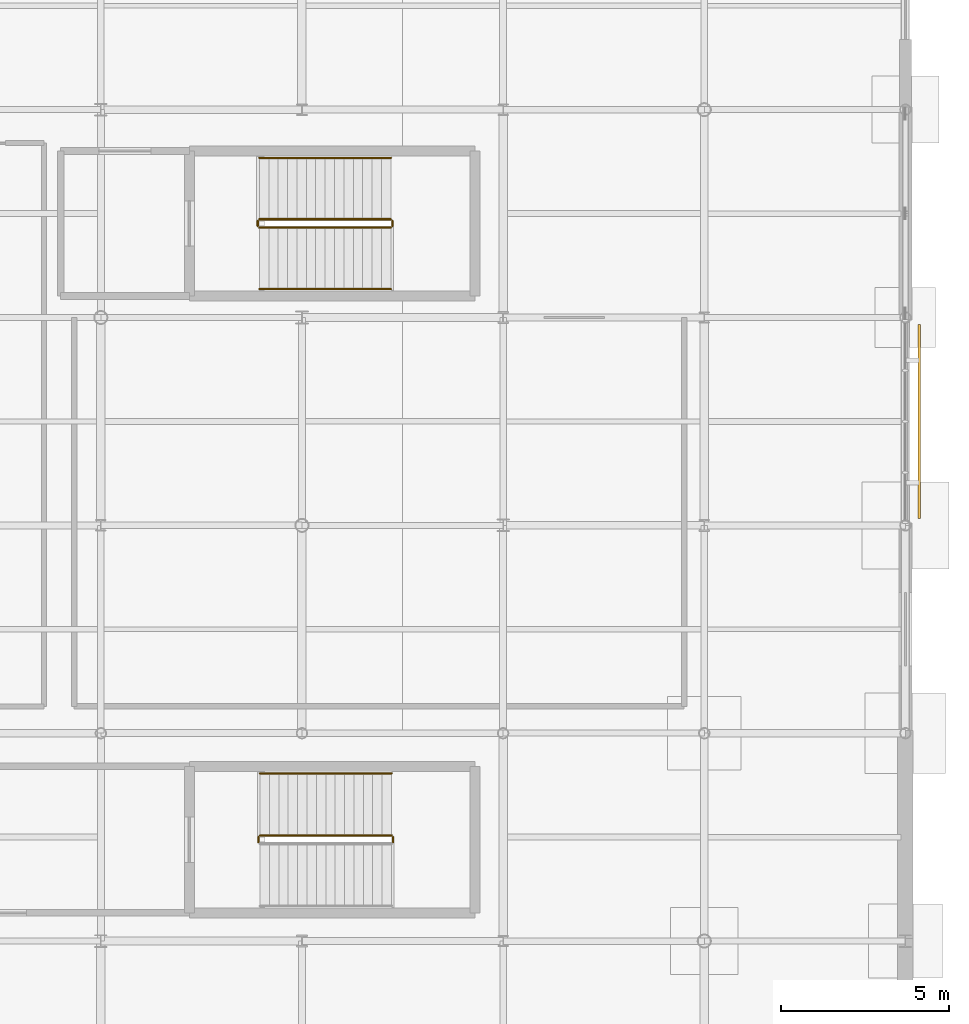
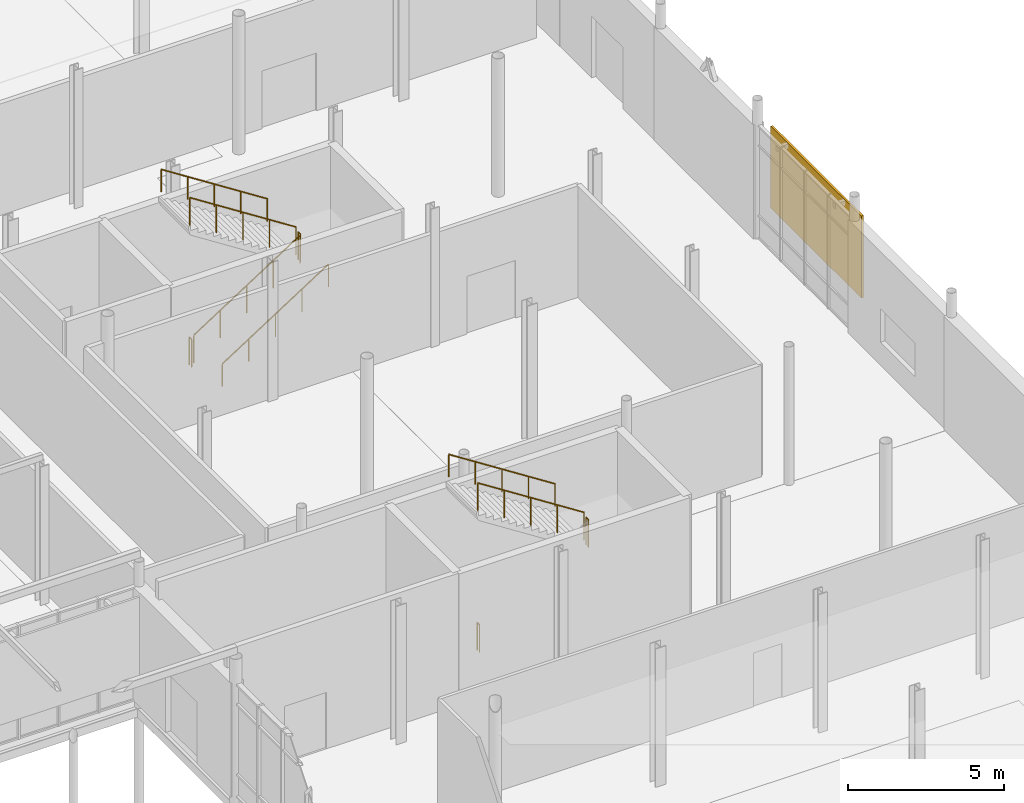
# One storey, part 94 of 98: 10 railings, 1 shading device.
"""IFC4 building model written with IfcOpenShell, lengths in metres."""

from ifc_helpers import new_model, si_unit, direction, frame, origin, origin_2d, place, context, subcontext, project, spatial, rectangle, circle, extrude, material, layer, layer_set, type_object, element, save


model = new_model("IFC4")

# Units and contexts
model_context = context("Model", 3, precision=1e-05, world=origin(), true_north=direction((0.0, 1.0)))
body_context = subcontext(model_context, "Body", "Model", "MODEL_VIEW")
ifc_project = project(units=[si_unit("LENGTHUNIT", "METRE"), si_unit("AREAUNIT", "SQUARE_METRE"), si_unit("VOLUMEUNIT", "CUBIC_METRE"), si_unit("PLANEANGLEUNIT", "RADIAN"), si_unit("MASSUNIT", "GRAM", prefix="KILO")], contexts=[model_context])

# Site, building, storey
site_placement = place(None, origin())
site = spatial("IfcSite", under=ifc_project, at=site_placement, CompositionType="ELEMENT")
building_placement = place(site_placement, origin())
building = spatial("IfcBuilding", under=site, at=building_placement, Name="Mirzam Square Science Centre", CompositionType="ELEMENT")
storey_placement = place(building_placement, origin())
storey = spatial("IfcBuildingStorey", under=building, at=storey_placement, Name="L00", CompositionType="ELEMENT", Elevation=0.0)

# Railings
ifc_material_1 = material(Name="Bronze-Anodised Architectural Balustrade", Category="aluminium")
railing_type_1 = type_object("IfcRailingType", Name="RL-INT-GUARD-1100", PredefinedType="GUARDRAIL", material=ifc_material_1)
railing_1_placement = place(storey_placement, frame((142.72998046875, 52.280029296875, 0.179931640625)))
element("IfcRailing", 1, at=railing_1_placement, inside=storey, type_object=railing_type_1, Name="L00 ST-05 stair guard 1", PredefinedType="GUARDRAIL", context=body_context, shape_type="SweptSolid", body=[
    extrude(circle(Radius=0.02392578125, at=origin_2d()), frame((0.0, 0.0, 1.076171875), z_axis=(0.841171666519, 0.0, 0.540768182723), x_axis=(0.0, 1.0, 0.0)), (0.0, 0.0, 1.0), 4.66015625),
    extrude(circle(Radius=0.02099609375, at=origin_2d()), origin(), (0.0, 0.0, 1.0), 1.052001953125),
    extrude(circle(Radius=0.02099609375, at=origin_2d()), frame((0.97998046875, 0.0, 0.6298828125)), (0.0, 0.0, 1.0), 1.052001953125),
    extrude(circle(Radius=0.02099609375, at=origin_2d()), frame((1.9599609375, 0.0, 1.260009765625)), (0.0, 0.0, 1.0), 1.052001953125),
    extrude(circle(Radius=0.02099609375, at=origin_2d()), frame((2.93994140625, 0.0, 1.89013671875)), (0.0, 0.0, 1.0), 1.052001953125),
    extrude(circle(Radius=0.02099609375, at=origin_2d()), frame((3.919921875, 0.0, 2.52001953125)), (0.0, 0.0, 1.0), 1.052001953125),
])
railing_2_placement = place(storey_placement, frame((146.699951171875, 52.330078125, 2.699951171875)))
element("IfcRailing", 2, at=railing_2_placement, inside=storey, type_object=railing_type_1, Name="L00 ST-05 stair guard 2", PredefinedType="GUARDRAIL", context=body_context, shape_type="SweptSolid", body=[
    extrude(circle(Radius=0.02392578125, at=origin_2d()), frame((0.0, 0.0, 1.076171875), z_axis=(0.0, 1.0, 0.0), x_axis=(-1.0, 0.0, 0.0)), (0.0, 0.0, 1.0), 0.14990234375),
    extrude(circle(Radius=0.02099609375, at=origin_2d()), origin(), (0.0, 0.0, 1.0), 1.052001953125),
    extrude(circle(Radius=0.02099609375, at=origin_2d()), frame((0.0, 0.14990234375, 0.0)), (0.0, 0.0, 1.0), 1.052001953125),
])
railing_3_placement = place(storey_placement, frame((146.64990234375, 52.530029296875, 2.8798828125)))
element("IfcRailing", 3, at=railing_3_placement, inside=storey, type_object=railing_type_1, Name="L00 ST-05 stair guard 3", PredefinedType="GUARDRAIL", context=body_context, shape_type="SweptSolid", body=[
    extrude(circle(Radius=0.02392578125, at=origin_2d()), frame((0.0, 0.0, 1.076171875), z_axis=(-0.841171666519, 0.0, 0.540768182723), x_axis=(0.0, -1.0, 0.0)), (0.0, 0.0, 1.0), 4.66015625),
    extrude(circle(Radius=0.02099609375, at=origin_2d()), origin(), (0.0, 0.0, 1.0), 1.052001953125),
    extrude(circle(Radius=0.02099609375, at=origin_2d()), frame((-0.97998046875, 0.0, 0.6298828125)), (0.0, 0.0, 1.0), 1.052001953125),
    extrude(circle(Radius=0.02099609375, at=origin_2d()), frame((-1.9599609375, 0.0, 1.260009765625)), (0.0, 0.0, 1.0), 1.052001953125),
    extrude(circle(Radius=0.02099609375, at=origin_2d()), frame((-2.93994140625, 0.0, 1.89013671875)), (0.0, 0.0, 1.0), 1.052001953125),
    extrude(circle(Radius=0.02099609375, at=origin_2d()), frame((-3.919921875, 0.0, 2.52001953125)), (0.0, 0.0, 1.0), 1.052001953125),
])
railing_4_placement = place(storey_placement, frame((142.679931640625, 52.330078125, 0.0)))
element("IfcRailing", 4, at=railing_4_placement, inside=storey, type_object=railing_type_1, Name="L00 ST-05 stair guard 4", PredefinedType="GUARDRAIL", context=body_context, shape_type="SweptSolid", body=[
    extrude(circle(Radius=0.02392578125, at=origin_2d()), frame((0.0, 0.0, 1.076171875), z_axis=(0.0, 1.0, 0.0), x_axis=(-1.0, 0.0, 0.0)), (0.0, 0.0, 1.0), 0.14990234375),
    extrude(circle(Radius=0.02099609375, at=origin_2d()), origin(), (0.0, 0.0, 1.0), 1.052001953125),
    extrude(circle(Radius=0.02099609375, at=origin_2d()), frame((0.0, 0.14990234375, 0.0)), (0.0, 0.0, 1.0), 1.052001953125),
])
railing_5_placement = place(storey_placement, frame((146.719970703125, 33.949951171875, 2.699951171875)))
element("IfcRailing", 5, at=railing_5_placement, inside=storey, type_object=railing_type_1, Name="L00 ST-06 stair guard 2", PredefinedType="GUARDRAIL", context=body_context, shape_type="SweptSolid", body=[
    extrude(circle(Radius=0.02392578125, at=origin_2d()), frame((0.0, 0.0, 1.076171875), z_axis=(0.0, 1.0, 0.0), x_axis=(-1.0, 0.0, 0.0)), (0.0, 0.0, 1.0), 0.150146484375),
    extrude(circle(Radius=0.02099609375, at=origin_2d()), origin(), (0.0, 0.0, 1.0), 1.052001953125),
    extrude(circle(Radius=0.02099609375, at=origin_2d()), frame((0.0, 0.150146484375, 0.0)), (0.0, 0.0, 1.0), 1.052001953125),
])
railing_6_placement = place(storey_placement, frame((146.669921875, 34.14990234375, 2.8798828125)))
element("IfcRailing", 6, at=railing_6_placement, inside=storey, type_object=railing_type_1, Name="L00 ST-06 stair guard 3", PredefinedType="GUARDRAIL", context=body_context, shape_type="SweptSolid", body=[
    extrude(circle(Radius=0.02392578125, at=origin_2d()), frame((0.0, 0.0, 1.076171875), z_axis=(-0.841171666519, 0.0, 0.540768182723), x_axis=(0.0, -1.0, 0.0)), (0.0, 0.0, 1.0), 4.66015625),
    extrude(circle(Radius=0.02099609375, at=origin_2d()), origin(), (0.0, 0.0, 1.0), 1.052001953125),
    extrude(circle(Radius=0.02099609375, at=origin_2d()), frame((-0.97998046875, 0.0, 0.6298828125)), (0.0, 0.0, 1.0), 1.052001953125),
    extrude(circle(Radius=0.02099609375, at=origin_2d()), frame((-1.9599609375, 0.0, 1.260009765625)), (0.0, 0.0, 1.0), 1.052001953125),
    extrude(circle(Radius=0.02099609375, at=origin_2d()), frame((-2.93994140625, 0.0, 1.89013671875)), (0.0, 0.0, 1.0), 1.052001953125),
    extrude(circle(Radius=0.02099609375, at=origin_2d()), frame((-3.919921875, 0.0, 2.52001953125)), (0.0, 0.0, 1.0), 1.052001953125),
])
railing_7_placement = place(storey_placement, frame((142.699951171875, 33.949951171875, 0.0)))
element("IfcRailing", 7, at=railing_7_placement, inside=storey, type_object=railing_type_1, Name="L00 ST-06 stair guard 4", PredefinedType="GUARDRAIL", context=body_context, shape_type="SweptSolid", body=[
    extrude(circle(Radius=0.02392578125, at=origin_2d()), frame((0.0, 0.0, 1.076171875), z_axis=(0.0, 1.0, 0.0), x_axis=(-1.0, 0.0, 0.0)), (0.0, 0.0, 1.0), 0.150146484375),
    extrude(circle(Radius=0.02099609375, at=origin_2d()), origin(), (0.0, 0.0, 1.0), 1.052001953125),
    extrude(circle(Radius=0.02099609375, at=origin_2d()), frame((0.0, 0.150146484375, 0.0)), (0.0, 0.0, 1.0), 1.052001953125),
])
ifc_material_2 = material(Name="Brushed Bronze Tubular Handrail", Category="aluminium")
railing_type_2 = type_object("IfcRailingType", Name="RL-STAIR-HANDRAIL-900", PredefinedType="HANDRAIL", material=ifc_material_2)
railing_8_placement = place(storey_placement, frame((142.72998046875, 50.449951171875, 0.3720703125)))
element("IfcRailing", 8, at=railing_8_placement, inside=storey, type_object=railing_type_2, Name="L00 ST-05 stair handrail 1", PredefinedType="HANDRAIL", context=body_context, shape_type="SweptSolid", body=[
    extrude(circle(Radius=0.02392578125, at=origin_2d()), frame((0.0, 0.0, 0.8759765625), z_axis=(0.841171666519, 0.0, 0.540768182723), x_axis=(0.0, 1.0, 0.0)), (0.0, 0.0, 1.0), 4.66015625),
    extrude(circle(Radius=0.02099609375, at=origin_2d()), origin(), (0.0, 0.0, 1.0), 0.851806640625),
    extrude(circle(Radius=0.02099609375, at=origin_2d()), frame((0.97998046875, 0.0, 0.6298828125)), (0.0, 0.0, 1.0), 0.851806640625),
    extrude(circle(Radius=0.02099609375, at=origin_2d()), frame((1.9599609375, 0.0, 1.260009765625)), (0.0, 0.0, 1.0), 0.851806640625),
    extrude(circle(Radius=0.02099609375, at=origin_2d()), frame((2.93994140625, 0.0, 1.89013671875)), (0.0, 0.0, 1.0), 0.851806640625),
    extrude(circle(Radius=0.02099609375, at=origin_2d()), frame((3.919921875, 0.0, 2.52001953125)), (0.0, 0.0, 1.0), 0.851806640625),
])
for number, where, name in (
    (9, (146.64990234375, 54.360107421875, 3.072021484375), "L00 ST-05 stair handrail 2"),
    (10, (146.669921875, 36.0, 3.072021484375), "L00 ST-06 stair handrail 2"),
):
    element("IfcRailing", number, at=place(storey_placement, frame(where)), inside=storey, type_object=railing_type_2, Name=name, PredefinedType="HANDRAIL", context=body_context, shape_type="SweptSolid", body=[
        extrude(circle(Radius=0.02392578125, at=origin_2d()), frame((0.0, 0.0, 0.8759765625), z_axis=(-0.841171666519, 0.0, 0.540768182723), x_axis=(0.0, -1.0, 0.0)), (0.0, 0.0, 1.0), 4.66015625),
        extrude(circle(Radius=0.02099609375, at=origin_2d()), origin(), (0.0, 0.0, 1.0), 0.851806640625),
        extrude(circle(Radius=0.02099609375, at=origin_2d()), frame((-0.97998046875, 0.0, 0.6298828125)), (0.0, 0.0, 1.0), 0.851806640625),
        extrude(circle(Radius=0.02099609375, at=origin_2d()), frame((-1.9599609375, 0.0, 1.260009765625)), (0.0, 0.0, 1.0), 0.851806640625),
        extrude(circle(Radius=0.02099609375, at=origin_2d()), frame((-2.93994140625, 0.0, 1.89013671875)), (0.0, 0.0, 1.0), 0.851806640625),
        extrude(circle(Radius=0.02099609375, at=origin_2d()), frame((-3.919921875, 0.0, 2.52001953125)), (0.0, 0.0, 1.0), 0.851806640625),
    ])

# Shading device
ifc_material_3 = material(Name="Perforated Bronze-Anodised Aluminium Brise-Soleil", Category="aluminium")
ifc_layer = layer(ifc_material_3, 0.080078125)
ifc_layer_set = layer_set([ifc_layer], Name="SHD-BRISE-BRONZE")
shading_device_type = type_object("IfcShadingDeviceType", Name="SHD-BRISE-BRONZE", PredefinedType="JALOUSIE", material=ifc_layer_set)
shading_device_placement = place(storey_placement, frame((162.409912109375, 46.5, 1.08984375), z_axis=(0.0, 0.0, 1.0), x_axis=(0.0, 1.0, 0.0)))
element("IfcShadingDevice", 11, at=shading_device_placement, inside=storey, type_object=shading_device_type, Name="L00 bronze brise-soleil screen 57", PredefinedType="JALOUSIE", context=body_context, shape_type="SweptSolid", body=[
    extrude(rectangle(XDim=5.7900390625, YDim=0.080078125, at=origin_2d()), origin(), (0.0, 0.0, 1.0), 3.199951171875),
])

save(model, "model.ifc")
